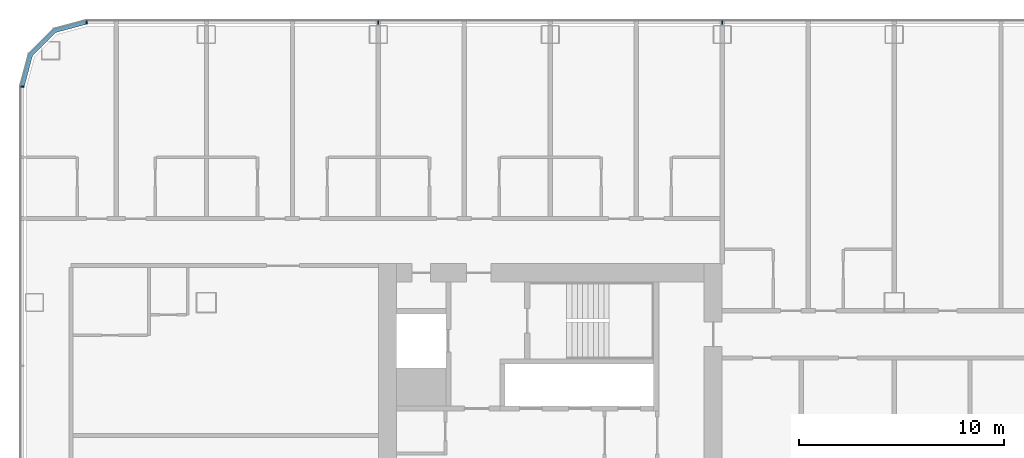
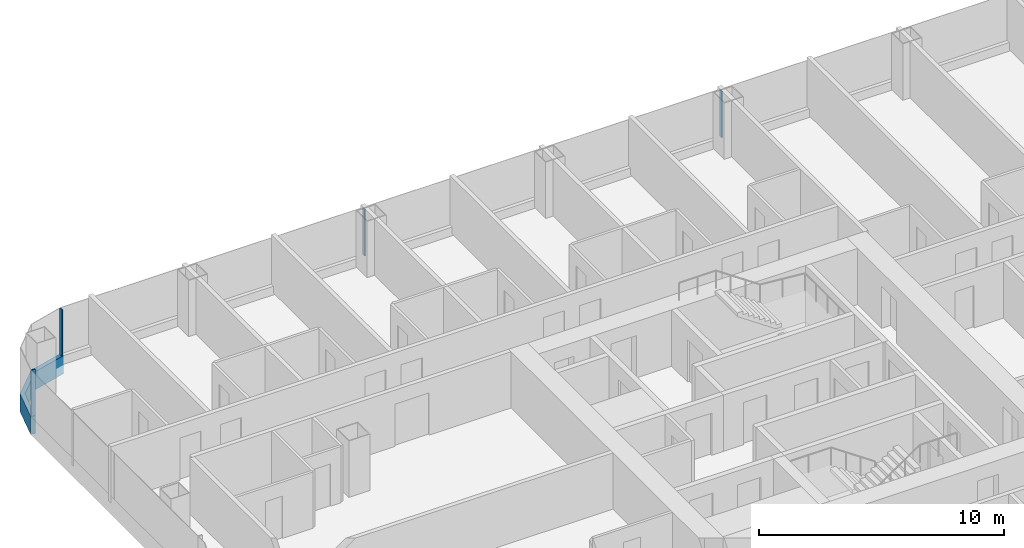
# One storey, part 6 of 29: 5 members, 3 elements without a shape of their own.
"""IFC4 building model written with IfcOpenShell, lengths in metres."""

from ifc_helpers import new_model, si_unit, direction, frame, origin, origin_2d, place, context, subcontext, project, spatial, polyline, rectangle, outline, extrude, material, layer, layer_set, material_profile, profile_set, type_object, element, aggregate, save


model = new_model("IFC4")

# Units and contexts
model_context = context("Model", 3, precision=1e-05, world=origin(), true_north=direction((0.0, 1.0)))
body_context = subcontext(model_context, "Body", "Model", "MODEL_VIEW")
ifc_project = project(units=[si_unit("LENGTHUNIT", "METRE"), si_unit("AREAUNIT", "SQUARE_METRE"), si_unit("VOLUMEUNIT", "CUBIC_METRE"), si_unit("PLANEANGLEUNIT", "RADIAN"), si_unit("MASSUNIT", "GRAM", prefix="KILO")], contexts=[model_context])

# Site, building, storey
site_placement = place(None, origin())
site = spatial("IfcSite", under=ifc_project, at=site_placement, CompositionType="ELEMENT")
building_placement = place(site_placement, origin())
building = spatial("IfcBuilding", under=site, at=building_placement, Name="Hakoniwa Tower and Hamabe Station Hall", CompositionType="ELEMENT")
storey_placement = place(building_placement, frame((0.0, 0.0, 55.0)))
storey = spatial("IfcBuildingStorey", under=building, at=storey_placement, Name="L15", CompositionType="ELEMENT", Elevation=55.0)

# Curtain wall, member
ifc_material_1 = material(Name="Dark low-e laminated glass", Category="glass")
ifc_layer = layer(ifc_material_1, 0.199951171875)
ifc_layer_set = layer_set([ifc_layer], Name="CW-1 UNITISED GUEST")
curtain_wall_type = type_object("IfcCurtainWallType", Name="CW-1 UNITISED GUEST", PredefinedType="NOTDEFINED", material=ifc_layer_set)
curtain_wall_1_placement = place(storey_placement, origin())
curtain_wall_1 = element("IfcCurtainWall", 1, at=curtain_wall_1_placement, inside=storey, type_object=curtain_wall_type, Name="CW-1 curtain wall", PredefinedType="NOTDEFINED")
ifc_material_2 = material(Name="Aluminium 6063-T5 black anodised", Category="aluminium")
ifc_material_profile_1 = material_profile(ifc_material_2, rectangle(XDim=0.199951171875, YDim=0.89990234375, at=origin_2d()), Name="CW SLAB-EDGE BAND 900X200")
ifc_profile_set_1 = profile_set([ifc_material_profile_1], Name="Aluminium 6063-T5 black anodised")
member_type_1 = type_object("IfcMemberType", Name="CW SLAB-EDGE BAND 900X200", PredefinedType="USERDEFINED", material=ifc_profile_set_1)
member_1_placement = place(storey_placement, frame((0.0, 0.0, -0.550048828125)))
member_1 = element("IfcMember", 2, at=member_1_placement, type_object=member_type_1, Name="CW-1 transom", ObjectType="TRANSOM", PredefinedType="USERDEFINED", context=body_context, shape_type="SweptSolid", body=[
    extrude(outline(polyline([(-47.839599609375, 20.300048828125), (-49.455322265625, 19.866943359375), (-50.6669921875, 18.6552734375), (-51.10009765625, 17.03955078125), (-50.90673828125, 16.98779296875), (-50.48779296875, 18.5517578125), (-49.351806640625, 19.687744140625), (-47.787841796875, 20.10693359375), (-47.839599609375, 20.300048828125)])), origin(), (0.0, 0.0, 1.0), 0.900146484375),
])
aggregate(curtain_wall_1, [member_1])

# Curtain wall, members
curtain_wall_2_placement = place(storey_placement, origin())
curtain_wall_2 = element("IfcCurtainWall", 3, at=curtain_wall_2_placement, inside=storey, type_object=curtain_wall_type, Name="CW-1 curtain wall", PredefinedType="NOTDEFINED")
ifc_material_3 = material(Name="Aluminium 6063-T5 black anodised", Category="aluminium")
ifc_material_profile_2 = material_profile(ifc_material_3, rectangle(XDim=0.06005859375, YDim=0.179931640625, at=origin_2d()), Name="CW-1 MULLION 60X180")
ifc_profile_set_2 = profile_set([ifc_material_profile_2], Name="Aluminium 6063-T5 black anodised")
member_type_2 = type_object("IfcMemberType", Name="CW-1 MULLION 60X180", PredefinedType="MULLION", material=ifc_profile_set_2)
member_2_placement = place(storey_placement, frame((-16.800048828125, 20.181884765625, 0.35009765625), z_axis=(0.0, 0.0, 1.0), x_axis=(-1.0, 0.0, 0.0)))
member_2 = element("IfcMember", 4, at=member_2_placement, type_object=member_type_2, Name="CW-1 mullion", PredefinedType="MULLION", context=body_context, shape_type="SweptSolid", body=[
    extrude(rectangle(XDim=0.06005859375, YDim=0.179931640625, at=origin_2d()), origin(), (0.0, 0.0, 1.0), 2.2998046875),
])
member_3_placement = place(storey_placement, frame((-33.60009765625, 20.181884765625, 0.35009765625), z_axis=(0.0, 0.0, 1.0), x_axis=(-1.0, 0.0, 0.0)))
member_3 = element("IfcMember", 5, at=member_3_placement, type_object=member_type_2, Name="CW-1 mullion", PredefinedType="MULLION", context=body_context, shape_type="SweptSolid", body=[
    extrude(rectangle(XDim=0.06005859375, YDim=0.179931640625, at=origin_2d()), origin(), (0.0, 0.0, 1.0), 2.2998046875),
])
member_4_placement = place(storey_placement, frame((-47.839599609375, 20.181884765625, 0.35009765625), z_axis=(0.0, 0.0, 1.0), x_axis=(-1.0, 0.0, 0.0)))
member_4 = element("IfcMember", 6, at=member_4_placement, type_object=member_type_2, Name="CW-1 mullion", PredefinedType="MULLION", context=body_context, shape_type="SweptSolid", body=[
    extrude(rectangle(XDim=0.06005859375, YDim=0.179931640625, at=origin_2d()), origin(), (0.0, 0.0, 1.0), 2.2998046875),
])
aggregate(curtain_wall_2, [member_2, member_3, member_4])

# Curtain wall, member
curtain_wall_3_placement = place(storey_placement, origin())
curtain_wall_3 = element("IfcCurtainWall", 7, at=curtain_wall_3_placement, inside=storey, type_object=curtain_wall_type, Name="CW-1 curtain wall", PredefinedType="NOTDEFINED")
member_5_placement = place(storey_placement, frame((-50.98193359375, 17.03955078125, 0.35009765625), z_axis=(0.0, 0.0, 1.0), x_axis=(0.0, -1.0, 0.0)))
member_5 = element("IfcMember", 8, at=member_5_placement, type_object=member_type_2, Name="CW-1 mullion", PredefinedType="MULLION", context=body_context, shape_type="SweptSolid", body=[
    extrude(rectangle(XDim=0.06005859375, YDim=0.179931640625, at=origin_2d()), origin(), (0.0, 0.0, 1.0), 2.2998046875),
])
aggregate(curtain_wall_3, [member_5])

save(model, "model.ifc")
